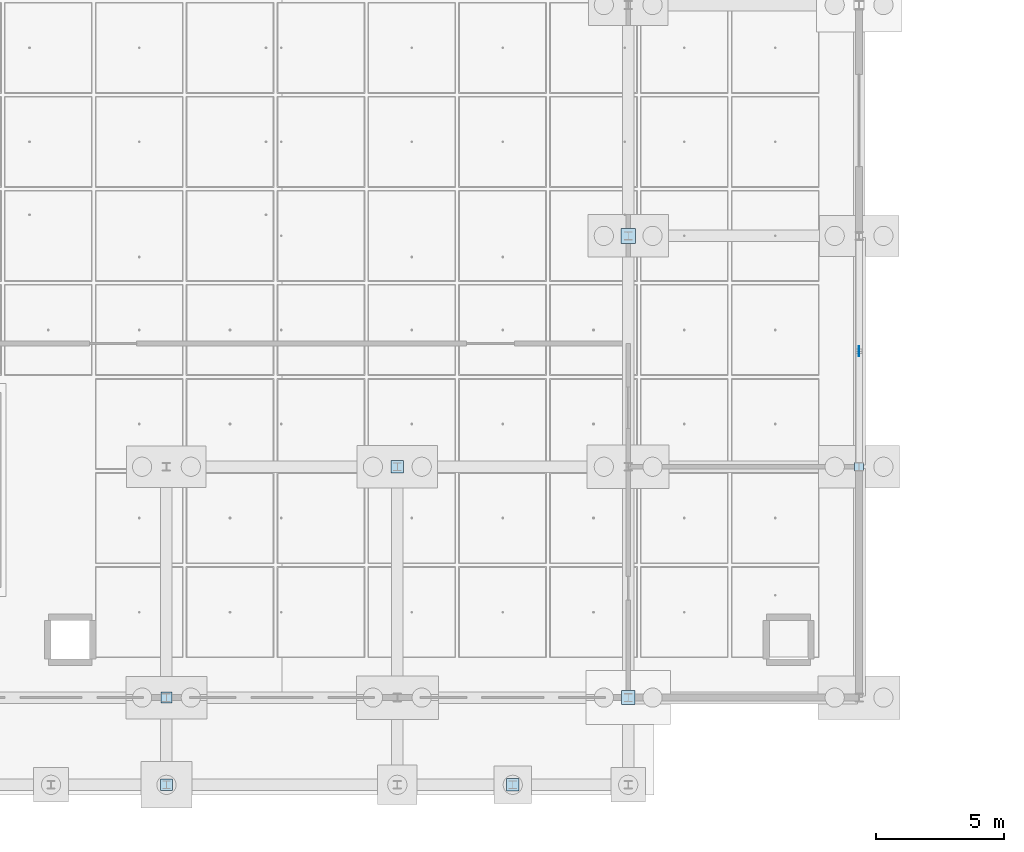
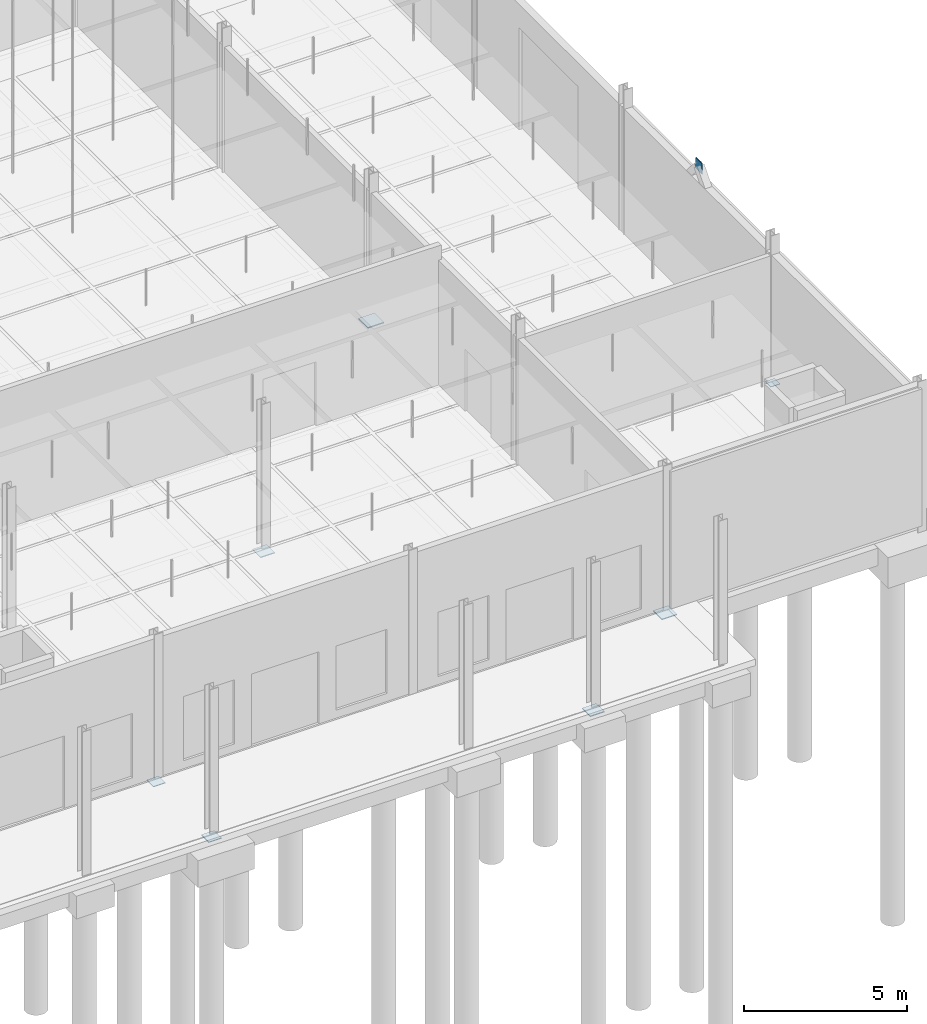
# One storey, part 91 of 180: 8 plates.
"""IFC4 building model written with IfcOpenShell, lengths in metres."""

from ifc_helpers import new_model, si_unit, direction, frame, origin, origin_2d, place, context, subcontext, project, spatial, rectangle, extrude, material, layer, layer_set, type_object, element, save


model = new_model("IFC4")

# Units and contexts
model_context = context("Model", 3, precision=1e-05, world=origin(), true_north=direction((0.0, 1.0)))
body_context = subcontext(model_context, "Body", "Model", "MODEL_VIEW")
ifc_project = project(units=[si_unit("LENGTHUNIT", "METRE"), si_unit("AREAUNIT", "SQUARE_METRE"), si_unit("VOLUMEUNIT", "CUBIC_METRE"), si_unit("PLANEANGLEUNIT", "RADIAN"), si_unit("MASSUNIT", "GRAM", prefix="KILO"), si_unit("THERMODYNAMICTEMPERATUREUNIT", "KELVIN"), si_unit("POWERUNIT", "WATT")], contexts=[model_context])

# Site, building, storey
site_placement = place(None, origin())
site = spatial("IfcSite", under=ifc_project, at=site_placement, CompositionType="ELEMENT")
building_placement = place(site_placement, origin())
building = spatial("IfcBuilding", under=site, at=building_placement, Name="Tallowbark Science Centre", CompositionType="ELEMENT")
storey_placement = place(building_placement, origin())
storey = spatial("IfcBuildingStorey", under=building, at=storey_placement, Name="L00", CompositionType="ELEMENT", Elevation=0.0)

# Plates
ifc_material = material(Name="Structural Steel Grade 300PLUS (300 MPa)", Category="steel")
ifc_layer_1 = layer(ifc_material, 0.013916015625)
ifc_layer_set_1 = layer_set([ifc_layer_1], Name="Structural Steel Grade 300PLUS (300 MPa)")
plate_type_1 = type_object("IfcPlateType", Name="PLT-GUS-14", PredefinedType="SHEET", material=ifc_layer_set_1)
plate_1_placement = place(storey_placement, frame((157.5, 9.0, -0.23974609375), z_axis=(0.0, 0.0, 1.0), x_axis=(1.0, 0.0, 0.0)))
element("IfcPlate", 1, at=plate_1_placement, inside=storey, type_object=plate_type_1, Name="Column Baseplate THT-M5_1", PredefinedType="SHEET", context=body_context, shape_type="SweptSolid", body=[
    extrude(rectangle(XDim=0.340087890625, YDim=0.340087890625, at=origin_2d()), origin(), (0.0, 0.0, 1.0), 0.013916015625),
])
ifc_layer_2 = layer(ifc_material, 0.02001953125)
ifc_layer_set_2 = layer_set([ifc_layer_2], Name="Structural Steel Grade 300PLUS (300 MPa)")
plate_type_2 = type_object("IfcPlateType", Name="PLT-GUS-20", PredefinedType="SHEET", material=ifc_layer_set_2)
plate_2_placement = place(storey_placement, frame((157.5, 13.5, 4.949951171875), z_axis=(0.0, 0.0, 1.0), x_axis=(0.0, 1.0, 0.0)))
element("IfcPlate", 2, at=plate_2_placement, inside=storey, type_object=plate_type_2, Name="Chevron Brace Apex Gusset CBF-THT-E1 L00", PredefinedType="SHEET", context=body_context, shape_type="SweptSolid", body=[
    extrude(rectangle(XDim=0.39990234375, YDim=0.02001953125, at=origin_2d()), origin(), (0.0, 0.0, 1.0), 0.39990234375),
])
ifc_layer_3 = layer(ifc_material, 0.02197265625)
ifc_layer_set_3 = layer_set([ifc_layer_3], Name="Structural Steel Grade 300PLUS (300 MPa)")
plate_type_3 = type_object("IfcPlateType", Name="PLT-GUS-22", PredefinedType="SHEET", material=ifc_layer_set_3)
plate_3_placement = place(storey_placement, frame((130.5, 0.0, -0.239990234375), z_axis=(0.0, 0.0, 1.0), x_axis=(1.0, 0.0, 0.0)))
element("IfcPlate", 3, at=plate_3_placement, inside=storey, type_object=plate_type_3, Name="Column Baseplate THT-M2_0", PredefinedType="SHEET", context=body_context, shape_type="SweptSolid", body=[
    extrude(rectangle(XDim=0.419921875, YDim=0.419921875, at=origin_2d()), origin(), (0.0, 0.0, 1.0), 0.02197265625),
])
ifc_layer_4 = layer(ifc_material, 0.02587890625)
ifc_layer_set_4 = layer_set([ifc_layer_4], Name="Structural Steel Grade 300PLUS (300 MPa)")
plate_type_4 = type_object("IfcPlateType", Name="PLT-GUS-26", PredefinedType="SHEET", material=ifc_layer_set_4)
plate_4_placement = place(storey_placement, frame((130.5, -3.39990234375, -0.239990234375), z_axis=(0.0, 0.0, 1.0), x_axis=(1.0, 0.0, 0.0)))
element("IfcPlate", 4, at=plate_4_placement, inside=storey, type_object=plate_type_4, Name="Column Baseplate THT-POR-02", PredefinedType="SHEET", context=body_context, shape_type="SweptSolid", body=[
    extrude(rectangle(XDim=0.4599609375, YDim=0.4599609375, at=origin_2d()), origin(), (0.0, 0.0, 1.0), 0.02587890625),
])
ifc_layer_5 = layer(ifc_material, 0.030029296875)
ifc_layer_set_5 = layer_set([ifc_layer_5], Name="Structural Steel Grade 300PLUS (300 MPa)")
plate_type_5 = type_object("IfcPlateType", Name="PLT-GUS-30", PredefinedType="SHEET", material=ifc_layer_set_5)
for number, where, z_axis, x_axis, name in (
    (5, (139.5, 9.0, -0.240234375), (0.0, 0.0, 1.0), (1.0, 0.0, 0.0), "Column Baseplate THT-M3_1"),
    (6, (144.0, -3.39990234375, -0.240234375), (0.0, 0.0, 1.0), (1.0, 0.0, 0.0), "Column Baseplate THT-POR-04"),
):
    element("IfcPlate", number, at=place(storey_placement, frame(where, z_axis=z_axis, x_axis=x_axis)), inside=storey, type_object=plate_type_5, Name=name, PredefinedType="SHEET", context=body_context, shape_type="SweptSolid", body=[
        extrude(rectangle(XDim=0.5, YDim=0.5, at=origin_2d()), origin(), (0.0, 0.0, 1.0), 0.030029296875),
    ])
ifc_layer_6 = layer(ifc_material, 0.033935546875)
ifc_layer_set_6 = layer_set([ifc_layer_6], Name="Structural Steel Grade 300PLUS (300 MPa)")
plate_type_6 = type_object("IfcPlateType", Name="PLT-GUS-34", PredefinedType="SHEET", material=ifc_layer_set_6)
plate_5_placement = place(storey_placement, frame((148.5, 0.0, -0.23974609375), z_axis=(0.0, 0.0, 1.0), x_axis=(1.0, 0.0, 0.0)))
element("IfcPlate", 7, at=plate_5_placement, inside=storey, type_object=plate_type_6, Name="Column Baseplate THT-M4_0", PredefinedType="SHEET", context=body_context, shape_type="SweptSolid", body=[
    extrude(rectangle(XDim=0.5400390625, YDim=0.5400390625, at=origin_2d()), origin(), (0.0, 0.0, 1.0), 0.033935546875),
])
ifc_layer_7 = layer(ifc_material, 0.0380859375)
ifc_layer_set_7 = layer_set([ifc_layer_7], Name="Structural Steel Grade 300PLUS (300 MPa)")
plate_type_7 = type_object("IfcPlateType", Name="PLT-GUS-38", PredefinedType="SHEET", material=ifc_layer_set_7)
plate_6_placement = place(storey_placement, frame((148.5, 18.0, -0.239990234375), z_axis=(0.0, 0.0, 1.0), x_axis=(1.0, 0.0, 0.0)))
element("IfcPlate", 8, at=plate_6_placement, inside=storey, type_object=plate_type_7, Name="Column Baseplate THT-M4_2", PredefinedType="SHEET", context=body_context, shape_type="SweptSolid", body=[
    extrude(rectangle(XDim=0.580078125, YDim=0.580078125, at=origin_2d()), origin(), (0.0, 0.0, 1.0), 0.0380859375),
])

save(model, "model.ifc")
